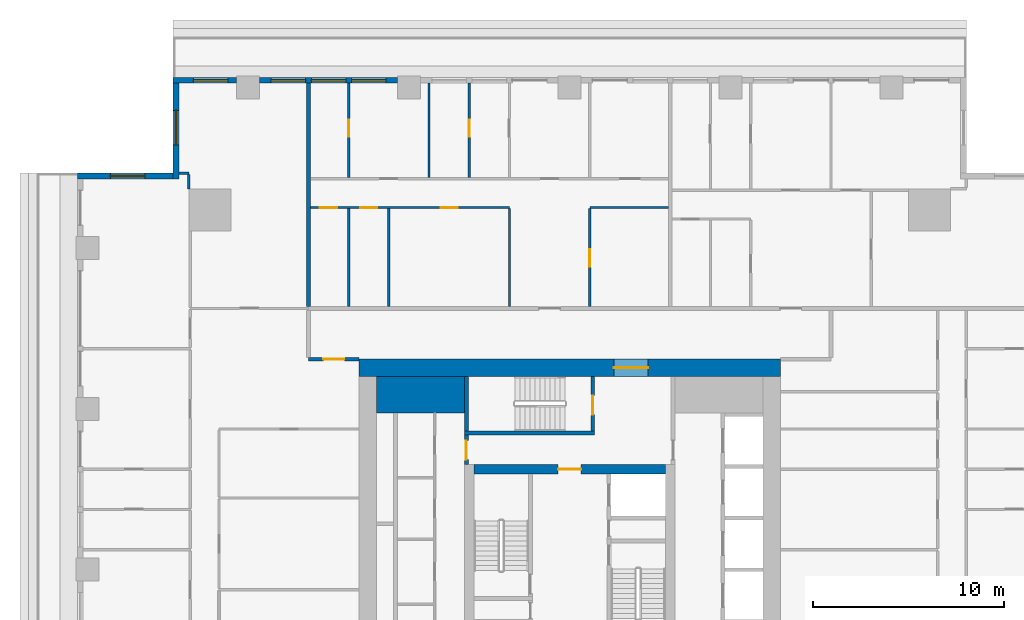
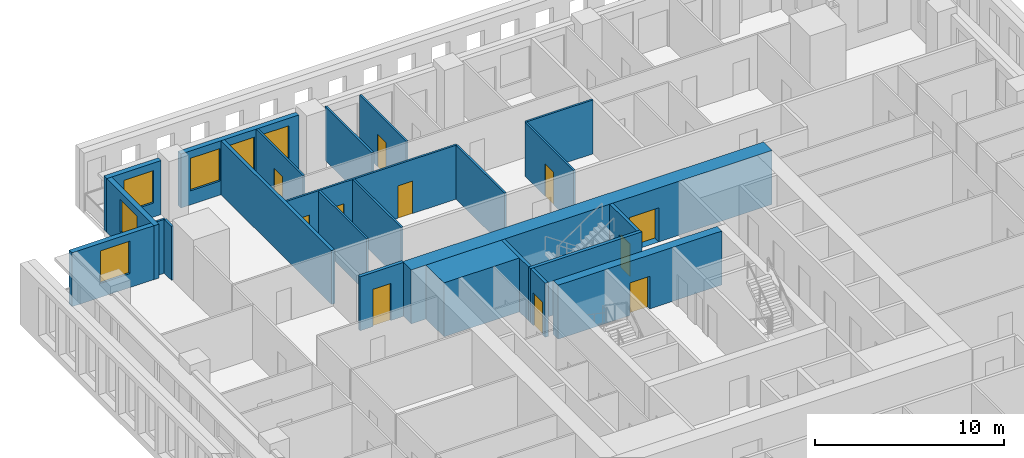
# One storey, part 7 of 15: 24 walls, 11 doors, 6 windows, 17 openings.
"""IFC4 building model written with IfcOpenShell, lengths in metres."""

from ifc_helpers import new_model, si_unit, direction, frame, frame_2d, origin, place, context, subcontext, project, spatial, rectangle, extrude, material, layer, layer_set, type_object, element, fill, save


model = new_model("IFC4")

# Units and contexts
model_context = context("Model", 3, precision=1e-05, world=origin(), true_north=direction((0.0, 1.0)))
body_context = subcontext(model_context, "Body", "Model", "MODEL_VIEW")
ifc_project = project(units=[si_unit("LENGTHUNIT", "METRE"), si_unit("AREAUNIT", "SQUARE_METRE"), si_unit("VOLUMEUNIT", "CUBIC_METRE"), si_unit("PLANEANGLEUNIT", "RADIAN"), si_unit("MASSUNIT", "GRAM", prefix="KILO")], contexts=[model_context])

# Site, building, storey
site_placement = place(None, origin())
site = spatial("IfcSite", under=ifc_project, at=site_placement, CompositionType="ELEMENT")
building_placement = place(site_placement, origin())
building = spatial("IfcBuilding", under=site, at=building_placement, Name="Khepri Terraces", CompositionType="ELEMENT")
storey_placement = place(building_placement, frame((0.0, 0.0, 248.39990234375)))
storey = spatial("IfcBuildingStorey", under=building, at=storey_placement, Name="L59", CompositionType="ELEMENT", Elevation=248.39990234375)

# Walls
ifc_material_1 = material(Name="Concrete C40/50", Category="concrete")
ifc_layer_1 = layer(ifc_material_1, 1.89990234375, Name="Concrete C40/50", Category="concrete")
ifc_layer_set_1 = layer_set([ifc_layer_1], Name="Concrete C40/50")
wall_type_1 = type_object("IfcWallType", Name="Core wall 1900 C40/50", PredefinedType="SHEAR", material=ifc_layer_set_1)
wall_1_placement = place(storey_placement, frame((-10.10009765625, 9.14990234375, 0.0), z_axis=(0.0, 0.0, 1.0), x_axis=(1.0, 0.0, 0.0)))
element("IfcWall", 1, at=wall_1_placement, inside=storey, type_object=wall_type_1, Name="Core wall PR03 L59", PredefinedType="SHEAR", context=body_context, shape_type="SweptSolid", body=[
    extrude(rectangle(XDim=4.60009765625, YDim=1.89990234375, at=frame_2d((2.300048828125, 0.0))), origin(), (0.0, 0.0, 1.0), 3.47998046875),
])
ifc_layer_2 = layer(ifc_material_1, 0.199951171875, Name="Concrete C40/50", Category="concrete")
ifc_layer_set_2 = layer_set([ifc_layer_2], Name="Concrete C40/50")
wall_type_2 = type_object("IfcWallType", Name="Core wall 200 C40/50", PredefinedType="SHEAR", material=ifc_layer_set_2)
wall_2_placement = place(storey_placement, frame((-5.5, 7.14990234375, 0.0), z_axis=(0.0, 0.0, 1.0), x_axis=(1.0, 0.0, 0.0)))
element("IfcWall", 2, at=wall_2_placement, inside=storey, type_object=wall_type_2, Name="Core wall ST05 L59", PredefinedType="SHEAR", context=body_context, shape_type="SweptSolid", body=[
    extrude(rectangle(XDim=6.800048828125, YDim=0.199951171875, at=frame_2d((3.39990234375, 0.0))), origin(), (0.0, 0.0, 1.0), 3.47998046875),
])
wall_3_placement = place(storey_placement, frame((-5.39990234375, 7.25, 0.0), z_axis=(0.0, 0.0, 1.0), x_axis=(0.0, 1.0, 0.0)))
element("IfcWall", 3, at=wall_3_placement, inside=storey, type_object=wall_type_2, Name="Core wall ST06 L59", PredefinedType="SHEAR", context=body_context, shape_type="SweptSolid", body=[
    extrude(rectangle(XDim=2.85009765625, YDim=0.199951171875, at=frame_2d((1.425048828125, 0.0))), origin(), (0.0, 0.0, 1.0), 3.47998046875),
])

# Wall, opening, door
wall_4_placement = place(storey_placement, frame((1.199951171875, 7.25, 0.0), z_axis=(0.0, 0.0, 1.0), x_axis=(0.0, 1.0, 0.0)))
wall_4 = element("IfcWall", 4, at=wall_4_placement, inside=storey, type_object=wall_type_2, Name="Core wall ST07 L59", PredefinedType="SHEAR", context=body_context, shape_type="SweptSolid", body=[
    extrude(rectangle(XDim=2.85009765625, YDim=0.199951171875, at=frame_2d((1.425048828125, 0.0))), origin(), (0.0, 0.0, 1.0), 3.47998046875),
])
opening_1_placement = place(wall_4_placement, frame((0.85009765625, 0.0, 0.0)))
opening_1 = element("IfcOpeningElement", 5, at=opening_1_placement, cuts=wall_4, Name="Opening L59-C15", PredefinedType="OPENING", context=body_context, shape_type="SweptSolid", body=[
    extrude(rectangle(XDim=1.0, YDim=2.10009765625, at=frame_2d((0.5, 1.050048828125))), frame((0.0, 0.10986328125, 0.0), z_axis=(0.0, -1.0, 0.0), x_axis=(1.0, 0.0, 0.0)), (0.0, 0.0, 1.0), 0.219970703125),
])
ifc_material_2 = material(Name="Painted steel", Category="steel")
door_type_1 = type_object("IfcDoorType", Name="DR-CORE-STAIR-1000", OperationType="NOTDEFINED", PredefinedType="DOOR", material=ifc_material_2)
door_1_placement = place(opening_1_placement, origin())
door_1 = element("IfcDoor", 6, at=door_1_placement, inside=storey, type_object=door_type_1, Name="Stair door L59-C15", OperationType="SINGLE_SWING_LEFT", OverallHeight=2.10009765625, OverallWidth=1.0, PredefinedType="DOOR", context=body_context, shape_type="SweptSolid", body=[
    extrude(rectangle(XDim=1.0, YDim=2.10009765625, at=frame_2d((0.5, 1.050048828125))), frame((0.0, 0.02490234375, 0.0), z_axis=(0.0, -1.0, 0.0), x_axis=(1.0, 0.0, 0.0)), (0.0, 0.0, 1.0), 0.050048828125),
])
fill(opening_1, door_1)

ifc_layer_3 = layer(ifc_material_1, 0.5, Name="Concrete C40/50", Category="concrete")
ifc_layer_set_3 = layer_set([ifc_layer_3], Name="Concrete C40/50")
wall_type_3 = type_object("IfcWallType", Name="Core wall 500 C40/50", PredefinedType="SHEAR", material=ifc_layer_set_3)
wall_5_placement = place(storey_placement, frame((-5.0, 5.25, 0.0), z_axis=(0.0, 0.0, 1.0), x_axis=(1.0, 0.0, 0.0)))
wall_5 = element("IfcWall", 7, at=wall_5_placement, inside=storey, type_object=wall_type_3, Name="Core wall BX04 L59", PredefinedType="SHEAR", context=body_context, shape_type="SweptSolid", body=[
    extrude(rectangle(XDim=10.0, YDim=0.5, at=frame_2d((5.0, 0.0))), origin(), (0.0, 0.0, 1.0), 3.47998046875),
])
opening_2_placement = place(wall_5_placement, frame((4.39990234375, 0.0, 0.0)))
opening_2 = element("IfcOpeningElement", 8, at=opening_2_placement, cuts=wall_5, Name="Opening L59-C13", PredefinedType="OPENING", context=body_context, shape_type="SweptSolid", body=[
    extrude(rectangle(XDim=1.199951171875, YDim=2.10009765625, at=frame_2d((0.60009765625, 1.050048828125))), frame((0.0, 0.260009765625, 0.0), z_axis=(0.0, -1.0, 0.0), x_axis=(1.0, 0.0, 0.0)), (0.0, 0.0, 1.0), 0.52001953125),
])
door_type_2 = type_object("IfcDoorType", Name="DR-CORE-FF-LOBBY-1200", OperationType="NOTDEFINED", PredefinedType="DOOR", material=ifc_material_2)
door_2_placement = place(opening_2_placement, frame((1.199951171875, 0.0, 0.0), z_axis=(0.0, 0.0, 1.0), x_axis=(-1.0, 0.0, 0.0)))
door_2 = element("IfcDoor", 9, at=door_2_placement, inside=storey, type_object=door_type_2, Name="Firefighting lobby door L59-C13", OperationType="SINGLE_SWING_LEFT", OverallHeight=2.10009765625, OverallWidth=1.199951171875, PredefinedType="DOOR", context=body_context, shape_type="SweptSolid", body=[
    extrude(rectangle(XDim=1.199951171875, YDim=2.10009765625, at=frame_2d((0.60009765625, 1.050048828125))), frame((0.0, 0.02490234375, 0.0), z_axis=(0.0, -1.0, 0.0), x_axis=(1.0, 0.0, 0.0)), (0.0, 0.0, 1.0), 0.050048828125),
])
fill(opening_2, door_2)

ifc_layer_4 = layer(ifc_material_1, 0.89990234375, Name="Concrete C40/50", Category="concrete")
ifc_layer_set_4 = layer_set([ifc_layer_4], Name="Concrete C40/50")
wall_type_4 = type_object("IfcWallType", Name="Core wall 900 C40/50", PredefinedType="SHEAR", material=ifc_layer_set_4)
wall_6_placement = place(storey_placement, frame((-11.0, 10.550048828125, 0.0), z_axis=(0.0, 0.0, 1.0), x_axis=(1.0, 0.0, 0.0)))
wall_6 = element("IfcWall", 10, at=wall_6_placement, inside=storey, type_object=wall_type_4, Name="Core wall OW-N L59", PredefinedType="SHEAR", context=body_context, shape_type="SweptSolid", body=[
    extrude(rectangle(XDim=22.0, YDim=0.89990234375, at=frame_2d((11.0, 0.0))), origin(), (0.0, 0.0, 1.0), 3.47998046875),
])
opening_3_placement = place(wall_6_placement, frame((13.300048828125, 0.0, 0.0)))
opening_3 = element("IfcOpeningElement", 11, at=opening_3_placement, cuts=wall_6, Name="Opening L59-C20", PredefinedType="OPENING", context=body_context, shape_type="SweptSolid", body=[
    extrude(rectangle(XDim=1.800048828125, YDim=2.199951171875, at=frame_2d((0.89990234375, 1.10009765625))), frame((0.0, 0.4599609375, 0.0), z_axis=(0.0, -1.0, 0.0), x_axis=(1.0, 0.0, 0.0)), (0.0, 0.0, 1.0), 0.919921875),
])
door_type_3 = type_object("IfcDoorType", Name="DR-CORE-ENTRANCE-1800", OperationType="NOTDEFINED", PredefinedType="DOOR", material=ifc_material_2)
door_3_placement = place(opening_3_placement, origin())
door_3 = element("IfcDoor", 12, at=door_3_placement, inside=storey, type_object=door_type_3, Name="Core entrance door pair L59-C20", OperationType="DOUBLE_DOOR_SINGLE_SWING", OverallHeight=2.199951171875, OverallWidth=1.800048828125, PredefinedType="DOOR", context=body_context, shape_type="SweptSolid", body=[
    extrude(rectangle(XDim=1.800048828125, YDim=2.199951171875, at=frame_2d((0.89990234375, 1.10009765625))), frame((0.0, 0.02490234375, 0.0), z_axis=(0.0, -1.0, 0.0), x_axis=(1.0, 0.0, 0.0)), (0.0, 0.0, 1.0), 0.050048828125),
])
fill(opening_3, door_3)

ifc_material_3 = material(Name="Fire-rated gypsum board partition")
ifc_layer_5 = layer(ifc_material_3, 0.199951171875, Name="Fire-rated gypsum board partition")
ifc_layer_set_5 = layer_set([ifc_layer_5], Name="Fire-rated gypsum board partition")
wall_type_5 = type_object("IfcWallType", Name="WL-CORE-PART-200", PredefinedType="PARTITIONING", material=ifc_layer_set_5)
wall_7_placement = place(storey_placement, frame((-5.39990234375, 5.5, 0.0), z_axis=(0.0, 0.0, 1.0), x_axis=(0.0, 1.0, 0.0)))
wall_7 = element("IfcWall", 13, at=wall_7_placement, inside=storey, type_object=wall_type_5, Name="Core partition PT12 L59", PredefinedType="PARTITIONING", context=body_context, shape_type="SweptSolid", body=[
    extrude(rectangle(XDim=1.550048828125, YDim=0.199951171875, at=frame_2d((0.77490234375, 0.0))), origin(), (0.0, 0.0, 1.0), 3.47998046875),
])
opening_4_placement = place(wall_7_placement, frame((0.25, 0.0, 0.0)))
opening_4 = element("IfcOpeningElement", 14, at=opening_4_placement, cuts=wall_7, Name="Opening L59-C16", PredefinedType="OPENING", context=body_context, shape_type="SweptSolid", body=[
    extrude(rectangle(XDim=1.0, YDim=2.10009765625, at=frame_2d((0.5, 1.050048828125))), frame((0.0, 0.10986328125, 0.0), z_axis=(0.0, -1.0, 0.0), x_axis=(1.0, 0.0, 0.0)), (0.0, 0.0, 1.0), 0.219970703125),
])
door_type_4 = type_object("IfcDoorType", Name="DR-CORE-LOBBY-1000", OperationType="NOTDEFINED", PredefinedType="DOOR", material=ifc_material_2)
door_4_placement = place(opening_4_placement, frame((1.0, 0.0, 0.0), z_axis=(0.0, 0.0, 1.0), x_axis=(-1.0, 0.0, 0.0)))
door_4 = element("IfcDoor", 15, at=door_4_placement, inside=storey, type_object=door_type_4, Name="Lobby door L59-C16", OperationType="SINGLE_SWING_RIGHT", OverallHeight=2.10009765625, OverallWidth=1.0, PredefinedType="DOOR", context=body_context, shape_type="SweptSolid", body=[
    extrude(rectangle(XDim=1.0, YDim=2.10009765625, at=frame_2d((0.5, 1.050048828125))), frame((0.0, 0.02490234375, 0.0), z_axis=(0.0, -1.0, 0.0), x_axis=(1.0, 0.0, 0.0)), (0.0, 0.0, 1.0), 0.050048828125),
])
fill(opening_4, door_4)

ifc_material_4 = material(Name="Fire-rated gypsum plasterboard partition, mineral wool")
ifc_layer_6 = layer(ifc_material_4, 0.199951171875, Name="Fire-rated gypsum plasterboard partition, mineral wool")
ifc_layer_set_6 = layer_set([ifc_layer_6], Name="Fire-rated gypsum plasterboard partition, mineral wool")
wall_type_6 = type_object("IfcWallType", Name="WL-CORR-200", PredefinedType="PARTITIONING", material=ifc_layer_set_6)
wall_8_placement = place(storey_placement, frame((-13.64990234375, 11.0, 0.0), z_axis=(0.0, 0.0, 1.0), x_axis=(1.0, 0.0, 0.0)))
wall_8 = element("IfcWall", 16, at=wall_8_placement, inside=storey, type_object=wall_type_6, Name="Partition P-073 L59", PredefinedType="PARTITIONING", context=body_context, shape_type="SweptSolid", body=[
    extrude(rectangle(XDim=2.64990234375, YDim=0.199951171875, at=frame_2d((1.324951171875, 0.0))), origin(), (0.0, 0.0, 1.0), 3.47998046875),
])
opening_5_placement = place(wall_8_placement, frame((0.77490234375, 0.0, 0.0)))
opening_5 = element("IfcOpeningElement", 17, at=opening_5_placement, cuts=wall_8, Name="Opening D1", PredefinedType="OPENING", context=body_context, shape_type="SweptSolid", body=[
    extrude(rectangle(XDim=1.10009765625, YDim=2.39990234375, at=frame_2d((0.550048828125, 1.199951171875))), frame((0.0, 0.10986328125, 0.0), z_axis=(0.0, -1.0, 0.0), x_axis=(1.0, 0.0, 0.0)), (0.0, 0.0, 1.0), 0.219970703125),
])
ifc_material_5 = material(Name="Solid-core timber door leaf, flat entrance door", Category="wood")
door_type_5 = type_object("IfcDoorType", Name="DR-ENT-1100", OperationType="NOTDEFINED", PredefinedType="DOOR", material=ifc_material_5)
door_5_placement = place(opening_5_placement, frame((1.10009765625, 0.0, 0.0), z_axis=(0.0, 0.0, 1.0), x_axis=(-1.0, 0.0, 0.0)))
door_5 = element("IfcDoor", 18, at=door_5_placement, inside=storey, type_object=door_type_5, Name="Flat D1 entrance door", OperationType="SINGLE_SWING_LEFT", OverallHeight=2.39990234375, OverallWidth=1.10009765625, PredefinedType="DOOR", context=body_context, shape_type="SweptSolid", body=[
    extrude(rectangle(XDim=1.10009765625, YDim=2.39990234375, at=frame_2d((0.550048828125, 1.199951171875))), frame((0.0, 0.02490234375, 0.0), z_axis=(0.0, -1.0, 0.0), x_axis=(1.0, 0.0, 0.0)), (0.0, 0.0, 1.0), 0.050048828125),
])
fill(opening_5, door_5)

# Wall
wall_9_placement = place(storey_placement, frame((-13.64990234375, 13.75, 0.0), z_axis=(0.0, 0.0, 1.0), x_axis=(0.0, 1.0, 0.0)))
element("IfcWall", 19, at=wall_9_placement, inside=storey, type_object=wall_type_6, Name="Partition P-084 L59", PredefinedType="PARTITIONING", context=body_context, shape_type="SweptSolid", body=[
    extrude(rectangle(XDim=11.669921875, YDim=0.199951171875, at=frame_2d((5.8349609375, 0.0))), origin(), (0.0, 0.0, 1.0), 3.47998046875),
])

# Wall, openings, windows
ifc_material_6 = material(Name="Precast concrete C50/60 warm stone", Category="masonry")
ifc_layer_7 = layer(ifc_material_6, 0.300048828125, Name="Precast concrete C50/60 warm stone", Category="masonry")
ifc_layer_set_7 = layer_set([ifc_layer_7], Name="Precast concrete C50/60 warm stone")
wall_type_7 = type_object("IfcWallType", Name="WL-EXT-PRECAST-300", PredefinedType="STANDARD", material=ifc_layer_set_7)
wall_10_placement = place(storey_placement, frame((-9.0, 25.570068359375, 0.0), z_axis=(0.0, 0.0, 1.0), x_axis=(-1.0, 0.0, 0.0)))
wall_10 = element("IfcWall", 20, at=wall_10_placement, inside=storey, type_object=wall_type_7, Name="External wall L59 N", PredefinedType="STANDARD", context=body_context, shape_type="SweptSolid", body=[
    extrude(rectangle(XDim=7.199951171875, YDim=0.300048828125, at=frame_2d((3.60009765625, 0.0))), origin(), (0.0, 0.0, 1.0), 3.47998046875),
])
opening_6_placement = place(wall_10_placement, frame((0.60009765625, 0.0, 0.89990234375)))
opening_6 = element("IfcOpeningElement", 21, at=opening_6_placement, cuts=wall_10, Name="Opening W1", PredefinedType="OPENING", context=body_context, shape_type="SweptSolid", body=[
    extrude(rectangle(XDim=1.800048828125, YDim=2.10009765625, at=frame_2d((0.89990234375, 1.050048828125))), frame((0.0, 0.16015625, 0.0), z_axis=(0.0, -1.0, 0.0), x_axis=(1.0, 0.0, 0.0)), (0.0, 0.0, 1.0), 0.320068359375),
])
opening_7_placement = place(wall_10_placement, frame((2.699951171875, 0.0, 0.89990234375)))
opening_7 = element("IfcOpeningElement", 22, at=opening_7_placement, cuts=wall_10, Name="Opening W1", PredefinedType="OPENING", context=body_context, shape_type="SweptSolid", body=[
    extrude(rectangle(XDim=1.800048828125, YDim=2.10009765625, at=frame_2d((0.89990234375, 1.050048828125))), frame((0.0, 0.16015625, 0.0), z_axis=(0.0, -1.0, 0.0), x_axis=(1.0, 0.0, 0.0)), (0.0, 0.0, 1.0), 0.320068359375),
])
opening_8_placement = place(wall_10_placement, frame((4.800048828125, 0.0, 0.89990234375)))
opening_8 = element("IfcOpeningElement", 23, at=opening_8_placement, cuts=wall_10, Name="Opening W1", PredefinedType="OPENING", context=body_context, shape_type="SweptSolid", body=[
    extrude(rectangle(XDim=1.800048828125, YDim=2.10009765625, at=frame_2d((0.89990234375, 1.050048828125))), frame((0.0, 0.16015625, 0.0), z_axis=(0.0, -1.0, 0.0), x_axis=(1.0, 0.0, 0.0)), (0.0, 0.0, 1.0), 0.320068359375),
])
ifc_material_7 = material(Name="Clear glass", Category="glass")
window_type = type_object("IfcWindowType", Name="WIN-RES-1800x2100", PartitioningType="SINGLE_PANEL", PredefinedType="WINDOW", material=ifc_material_7)
window_1_placement = place(opening_6_placement, origin())
window_1 = element("IfcWindow", 24, at=window_1_placement, inside=storey, type_object=window_type, Name="Window L59 N", OverallHeight=2.10009765625, OverallWidth=1.800048828125, PartitioningType="SINGLE_PANEL", PredefinedType="WINDOW", context=body_context, shape_type="SweptSolid", body=[
    extrude(rectangle(XDim=1.800048828125, YDim=2.10009765625, at=frame_2d((0.89990234375, 1.050048828125))), frame((0.0, 0.030029296875, 0.0), z_axis=(0.0, -1.0, 0.0), x_axis=(1.0, 0.0, 0.0)), (0.0, 0.0, 1.0), 0.06005859375),
])
fill(opening_6, window_1)
window_2_placement = place(opening_7_placement, origin())
window_2 = element("IfcWindow", 25, at=window_2_placement, inside=storey, type_object=window_type, Name="Window L59 N", OverallHeight=2.10009765625, OverallWidth=1.800048828125, PartitioningType="SINGLE_PANEL", PredefinedType="WINDOW", context=body_context, shape_type="SweptSolid", body=[
    extrude(rectangle(XDim=1.800048828125, YDim=2.10009765625, at=frame_2d((0.89990234375, 1.050048828125))), frame((0.0, 0.030029296875, 0.0), z_axis=(0.0, -1.0, 0.0), x_axis=(1.0, 0.0, 0.0)), (0.0, 0.0, 1.0), 0.06005859375),
])
fill(opening_7, window_2)
window_3_placement = place(opening_8_placement, origin())
window_3 = element("IfcWindow", 26, at=window_3_placement, inside=storey, type_object=window_type, Name="Window L59 N", OverallHeight=2.10009765625, OverallWidth=1.800048828125, PartitioningType="SINGLE_PANEL", PredefinedType="WINDOW", context=body_context, shape_type="SweptSolid", body=[
    extrude(rectangle(XDim=1.800048828125, YDim=2.10009765625, at=frame_2d((0.89990234375, 1.050048828125))), frame((0.0, 0.030029296875, 0.0), z_axis=(0.0, -1.0, 0.0), x_axis=(1.0, 0.0, 0.0)), (0.0, 0.0, 1.0), 0.06005859375),
])
fill(opening_8, window_3)

# Wall, opening, window
wall_11_placement = place(storey_placement, frame((-17.39990234375, 25.570068359375, 0.0), z_axis=(0.0, 0.0, 1.0), x_axis=(-1.0, 0.0, 0.0)))
wall_11 = element("IfcWall", 27, at=wall_11_placement, inside=storey, type_object=wall_type_7, Name="External wall L59 N", PredefinedType="STANDARD", context=body_context, shape_type="SweptSolid", body=[
    extrude(rectangle(XDim=3.320068359375, YDim=0.300048828125, at=frame_2d((1.66015625, 0.0))), origin(), (0.0, 0.0, 1.0), 3.47998046875),
])
opening_9_placement = place(wall_11_placement, frame((0.45947265625, 0.0, 0.89990234375)))
opening_9 = element("IfcOpeningElement", 28, at=opening_9_placement, cuts=wall_11, Name="Opening W1", PredefinedType="OPENING", context=body_context, shape_type="SweptSolid", body=[
    extrude(rectangle(XDim=1.800048828125, YDim=2.10009765625, at=frame_2d((0.89990234375, 1.050048828125))), frame((0.0, 0.16015625, 0.0), z_axis=(0.0, -1.0, 0.0), x_axis=(1.0, 0.0, 0.0)), (0.0, 0.0, 1.0), 0.320068359375),
])
window_4_placement = place(opening_9_placement, origin())
window_4 = element("IfcWindow", 29, at=window_4_placement, inside=storey, type_object=window_type, Name="Window L59 N", OverallHeight=2.10009765625, OverallWidth=1.800048828125, PartitioningType="SINGLE_PANEL", PredefinedType="WINDOW", context=body_context, shape_type="SweptSolid", body=[
    extrude(rectangle(XDim=1.800048828125, YDim=2.10009765625, at=frame_2d((0.89990234375, 1.050048828125))), frame((0.0, 0.030029296875, 0.0), z_axis=(0.0, -1.0, 0.0), x_axis=(1.0, 0.0, 0.0)), (0.0, 0.0, 1.0), 0.06005859375),
])
fill(opening_9, window_4)

wall_12_placement = place(storey_placement, frame((-20.570068359375, 25.419921875, 0.0), z_axis=(0.0, 0.0, 1.0), x_axis=(0.0, -1.0, 0.0)))
wall_12 = element("IfcWall", 30, at=wall_12_placement, inside=storey, type_object=wall_type_7, Name="External wall L59 W", PredefinedType="STANDARD", context=body_context, shape_type="SweptSolid", body=[
    extrude(rectangle(XDim=5.0, YDim=0.300048828125, at=frame_2d((2.5, 0.0))), origin(), (0.0, 0.0, 1.0), 3.47998046875),
])
opening_10_placement = place(wall_12_placement, frame((1.419921875, 0.0, 0.89990234375)))
opening_10 = element("IfcOpeningElement", 31, at=opening_10_placement, cuts=wall_12, Name="Opening W1", PredefinedType="OPENING", context=body_context, shape_type="SweptSolid", body=[
    extrude(rectangle(XDim=1.800048828125, YDim=2.10009765625, at=frame_2d((0.89990234375, 1.050048828125))), frame((0.0, 0.16015625, 0.0), z_axis=(0.0, -1.0, 0.0), x_axis=(1.0, 0.0, 0.0)), (0.0, 0.0, 1.0), 0.320068359375),
])
window_5_placement = place(opening_10_placement, origin())
window_5 = element("IfcWindow", 32, at=window_5_placement, inside=storey, type_object=window_type, Name="Window L59 W", OverallHeight=2.10009765625, OverallWidth=1.800048828125, PartitioningType="SINGLE_PANEL", PredefinedType="WINDOW", context=body_context, shape_type="SweptSolid", body=[
    extrude(rectangle(XDim=1.800048828125, YDim=2.10009765625, at=frame_2d((0.89990234375, 1.050048828125))), frame((0.0, 0.030029296875, 0.0), z_axis=(0.0, -1.0, 0.0), x_axis=(1.0, 0.0, 0.0)), (0.0, 0.0, 1.0), 0.06005859375),
])
fill(opening_10, window_5)

wall_13_placement = place(storey_placement, frame((-20.719970703125, 20.570068359375, 0.0), z_axis=(0.0, 0.0, 1.0), x_axis=(-1.0, 0.0, 0.0)))
wall_13 = element("IfcWall", 33, at=wall_13_placement, inside=storey, type_object=wall_type_7, Name="External wall L59 N", PredefinedType="STANDARD", context=body_context, shape_type="SweptSolid", body=[
    extrude(rectangle(XDim=5.0, YDim=0.300048828125, at=frame_2d((2.5, 0.0))), origin(), (0.0, 0.0, 1.0), 3.47998046875),
])
opening_11_placement = place(wall_13_placement, frame((1.47998046875, 0.0, 0.89990234375)))
opening_11 = element("IfcOpeningElement", 34, at=opening_11_placement, cuts=wall_13, Name="Opening W1", PredefinedType="OPENING", context=body_context, shape_type="SweptSolid", body=[
    extrude(rectangle(XDim=1.800048828125, YDim=2.10009765625, at=frame_2d((0.89990234375, 1.050048828125))), frame((0.0, 0.16015625, 0.0), z_axis=(0.0, -1.0, 0.0), x_axis=(1.0, 0.0, 0.0)), (0.0, 0.0, 1.0), 0.320068359375),
])
window_6_placement = place(opening_11_placement, origin())
window_6 = element("IfcWindow", 35, at=window_6_placement, inside=storey, type_object=window_type, Name="Window L59 N", OverallHeight=2.10009765625, OverallWidth=1.800048828125, PartitioningType="SINGLE_PANEL", PredefinedType="WINDOW", context=body_context, shape_type="SweptSolid", body=[
    extrude(rectangle(XDim=1.800048828125, YDim=2.10009765625, at=frame_2d((0.89990234375, 1.050048828125))), frame((0.0, 0.030029296875, 0.0), z_axis=(0.0, -1.0, 0.0), x_axis=(1.0, 0.0, 0.0)), (0.0, 0.0, 1.0), 0.06005859375),
])
fill(opening_11, window_6)

# Walls
ifc_material_8 = material(Name="Gypsum plasterboard partition")
ifc_layer_8 = layer(ifc_material_8, 0.1201171875, Name="Gypsum plasterboard partition")
ifc_layer_set_8 = layer_set([ifc_layer_8], Name="Gypsum plasterboard partition")
wall_type_8 = type_object("IfcWallType", Name="WL-PART-120", PredefinedType="PARTITIONING", material=ifc_layer_set_8)
for number, where, z_axis, x_axis, name in (
    (36, (-11.550048828125, 13.75, 0.0), (0.0, 0.0, 1.0), (0.0, 1.0, 0.0), "Partition P-085 L59"),
    (37, (-9.449951171875, 13.75, 0.0), (0.0, 0.0, 1.0), (0.0, 1.0, 0.0), "Partition P-086 L59"),
    (38, (-3.14990234375, 13.75, 0.0), (0.0, 0.0, 1.0), (0.0, 1.0, 0.0), "Partition P-087 L59"),
):
    element("IfcWall", number, at=place(storey_placement, frame(where, z_axis=z_axis, x_axis=x_axis)), inside=storey, type_object=wall_type_8, Name=name, PredefinedType="PARTITIONING", context=body_context, shape_type="SweptSolid", body=[
        extrude(rectangle(XDim=5.110107421875, YDim=0.1201171875, at=frame_2d((2.55517578125, 0.0))), origin(), (0.0, 0.0, 1.0), 3.47998046875),
    ])

# Wall, opening, door
wall_14_placement = place(storey_placement, frame((1.050048828125, 13.75, 0.0), z_axis=(0.0, 0.0, 1.0), x_axis=(0.0, 1.0, 0.0)))
wall_14 = element("IfcWall", 39, at=wall_14_placement, inside=storey, type_object=wall_type_8, Name="Partition P-088 L59", PredefinedType="PARTITIONING", context=body_context, shape_type="SweptSolid", body=[
    extrude(rectangle(XDim=5.110107421875, YDim=0.1201171875, at=frame_2d((2.55517578125, 0.0))), origin(), (0.0, 0.0, 1.0), 3.47998046875),
])
opening_12_placement = place(wall_14_placement, frame((2.0849609375, 0.0, 0.0)))
opening_12 = element("IfcOpeningElement", 40, at=opening_12_placement, cuts=wall_14, Name="Opening D4", PredefinedType="OPENING", context=body_context, shape_type="SweptSolid", body=[
    extrude(rectangle(XDim=0.89990234375, YDim=2.10009765625, at=frame_2d((0.449951171875, 1.050048828125))), frame((0.0, 0.070068359375, 0.0), z_axis=(0.0, -1.0, 0.0), x_axis=(1.0, 0.0, 0.0)), (0.0, 0.0, 1.0), 0.14013671875),
])
ifc_material_9 = material(Name="Timber door leaf, moisture resistant", Category="wood")
door_type_6 = type_object("IfcDoorType", Name="DR-WET-900", OperationType="NOTDEFINED", PredefinedType="DOOR", material=ifc_material_9)
door_6_placement = place(opening_12_placement, frame((0.89990234375, 0.0, 0.0), z_axis=(0.0, 0.0, 1.0), x_axis=(-1.0, 0.0, 0.0)))
door_6 = element("IfcDoor", 41, at=door_6_placement, inside=storey, type_object=door_type_6, Name="Door Guest Bathroom", OperationType="SINGLE_SWING_RIGHT", OverallHeight=2.10009765625, OverallWidth=0.89990234375, PredefinedType="DOOR", context=body_context, shape_type="SweptSolid", body=[
    extrude(rectangle(XDim=0.89990234375, YDim=2.10009765625, at=frame_2d((0.449951171875, 1.050048828125))), frame((0.0, 0.02490234375, 0.0), z_axis=(0.0, -1.0, 0.0), x_axis=(1.0, 0.0, 0.0)), (0.0, 0.0, 1.0), 0.050048828125),
])
fill(opening_12, door_6)

# Wall, openings, doors
wall_15_placement = place(storey_placement, frame((-13.550048828125, 18.919921875, 0.0), z_axis=(0.0, 0.0, 1.0), x_axis=(1.0, 0.0, 0.0)))
wall_15 = element("IfcWall", 42, at=wall_15_placement, inside=storey, type_object=wall_type_8, Name="Partition P-094 L59", PredefinedType="PARTITIONING", context=body_context, shape_type="SweptSolid", body=[
    extrude(rectangle(XDim=10.400146484375, YDim=0.1201171875, at=frame_2d((5.2001953125, 0.0))), origin(), (0.0, 0.0, 1.0), 3.47998046875),
])
opening_13_placement = place(wall_15_placement, frame((6.800048828125, 0.0, 0.0)))
opening_13 = element("IfcOpeningElement", 43, at=opening_13_placement, cuts=wall_15, Name="Opening D3", PredefinedType="OPENING", context=body_context, shape_type="SweptSolid", body=[
    extrude(rectangle(XDim=0.89990234375, YDim=2.10009765625, at=frame_2d((0.449951171875, 1.050048828125))), frame((0.0, 0.070068359375, 0.0), z_axis=(0.0, -1.0, 0.0), x_axis=(1.0, 0.0, 0.0)), (0.0, 0.0, 1.0), 0.14013671875),
])
opening_14_placement = place(wall_15_placement, frame((2.60009765625, 0.0, 0.0)))
opening_14 = element("IfcOpeningElement", 44, at=opening_14_placement, cuts=wall_15, Name="Opening D4", PredefinedType="OPENING", context=body_context, shape_type="SweptSolid", body=[
    extrude(rectangle(XDim=0.89990234375, YDim=2.10009765625, at=frame_2d((0.449951171875, 1.050048828125))), frame((0.0, 0.070068359375, 0.0), z_axis=(0.0, -1.0, 0.0), x_axis=(1.0, 0.0, 0.0)), (0.0, 0.0, 1.0), 0.14013671875),
])
opening_15_placement = place(wall_15_placement, frame((0.5, 0.0, 0.0)))
opening_15 = element("IfcOpeningElement", 45, at=opening_15_placement, cuts=wall_15, Name="Opening D3", PredefinedType="OPENING", context=body_context, shape_type="SweptSolid", body=[
    extrude(rectangle(XDim=0.89990234375, YDim=2.10009765625, at=frame_2d((0.449951171875, 1.050048828125))), frame((0.0, 0.070068359375, 0.0), z_axis=(0.0, -1.0, 0.0), x_axis=(1.0, 0.0, 0.0)), (0.0, 0.0, 1.0), 0.14013671875),
])
ifc_material_10 = material(Name="Timber door leaf", Category="wood")
door_type_7 = type_object("IfcDoorType", Name="DR-INT-900", OperationType="NOTDEFINED", PredefinedType="DOOR", material=ifc_material_10)
door_7_placement = place(opening_13_placement, frame((0.89990234375, 0.0, 0.0), z_axis=(0.0, 0.0, 1.0), x_axis=(-1.0, 0.0, 0.0)))
door_7 = element("IfcDoor", 46, at=door_7_placement, inside=storey, type_object=door_type_7, Name="Door Kitchen", OperationType="SINGLE_SWING_LEFT", OverallHeight=2.10009765625, OverallWidth=0.89990234375, PredefinedType="DOOR", context=body_context, shape_type="SweptSolid", body=[
    extrude(rectangle(XDim=0.89990234375, YDim=2.10009765625, at=frame_2d((0.449951171875, 1.050048828125))), frame((0.0, 0.02490234375, 0.0), z_axis=(0.0, -1.0, 0.0), x_axis=(1.0, 0.0, 0.0)), (0.0, 0.0, 1.0), 0.050048828125),
])
fill(opening_13, door_7)
door_8_placement = place(opening_15_placement, frame((0.89990234375, 0.0, 0.0), z_axis=(0.0, 0.0, 1.0), x_axis=(-1.0, 0.0, 0.0)))
door_8 = element("IfcDoor", 47, at=door_8_placement, inside=storey, type_object=door_type_7, Name="Door Utility Room", OperationType="SINGLE_SWING_RIGHT", OverallHeight=2.10009765625, OverallWidth=0.89990234375, PredefinedType="DOOR", context=body_context, shape_type="SweptSolid", body=[
    extrude(rectangle(XDim=0.89990234375, YDim=2.10009765625, at=frame_2d((0.449951171875, 1.050048828125))), frame((0.0, 0.02490234375, 0.0), z_axis=(0.0, -1.0, 0.0), x_axis=(1.0, 0.0, 0.0)), (0.0, 0.0, 1.0), 0.050048828125),
])
fill(opening_15, door_8)
door_9_placement = place(opening_14_placement, frame((0.89990234375, 0.0, 0.0), z_axis=(0.0, 0.0, 1.0), x_axis=(-1.0, 0.0, 0.0)))
door_9 = element("IfcDoor", 48, at=door_9_placement, inside=storey, type_object=door_type_6, Name="Door Powder Room", OperationType="SINGLE_SWING_RIGHT", OverallHeight=2.10009765625, OverallWidth=0.89990234375, PredefinedType="DOOR", context=body_context, shape_type="SweptSolid", body=[
    extrude(rectangle(XDim=0.89990234375, YDim=2.10009765625, at=frame_2d((0.449951171875, 1.050048828125))), frame((0.0, 0.02490234375, 0.0), z_axis=(0.0, -1.0, 0.0), x_axis=(1.0, 0.0, 0.0)), (0.0, 0.0, 1.0), 0.050048828125),
])
fill(opening_14, door_9)

# Walls
wall_16_placement = place(storey_placement, frame((1.050048828125, 18.919921875, 0.0), z_axis=(0.0, 0.0, 1.0), x_axis=(1.0, 0.0, 0.0)))
element("IfcWall", 49, at=wall_16_placement, inside=storey, type_object=wall_type_8, Name="Partition P-095 L59", PredefinedType="PARTITIONING", context=body_context, shape_type="SweptSolid", body=[
    extrude(rectangle(XDim=4.099853515625, YDim=0.1201171875, at=frame_2d((2.0498046875, 0.0))), origin(), (0.0, 0.0, 1.0), 3.47998046875),
])
wall_17_placement = place(storey_placement, frame((-19.90087890625, 19.89990234375, 0.0), z_axis=(0.0, 0.0, 1.0), x_axis=(0.0, 1.0, 0.0)))
element("IfcWall", 50, at=wall_17_placement, inside=storey, type_object=wall_type_8, Name="Partition P-100 L59", PredefinedType="PARTITIONING", context=body_context, shape_type="SweptSolid", body=[
    extrude(rectangle(XDim=0.759033203125, YDim=0.1201171875, at=frame_2d((0.37939453125, 0.0))), origin(), (0.0, 0.0, 1.0), 3.47998046875),
])

# Wall, opening, door
wall_18_placement = place(storey_placement, frame((-11.550048828125, 20.47998046875, 0.0), z_axis=(0.0, 0.0, 1.0), x_axis=(0.0, 1.0, 0.0)))
wall_18 = element("IfcWall", 51, at=wall_18_placement, inside=storey, type_object=wall_type_8, Name="Partition P-104 L59", PredefinedType="PARTITIONING", context=body_context, shape_type="SweptSolid", body=[
    extrude(rectangle(XDim=4.93994140625, YDim=0.1201171875, at=frame_2d((2.469970703125, 0.0))), origin(), (0.0, 0.0, 1.0), 3.47998046875),
])
opening_16_placement = place(wall_18_placement, frame((2.139892578125, 0.0, 0.0)))
opening_16 = element("IfcOpeningElement", 52, at=opening_16_placement, cuts=wall_18, Name="Opening D4", PredefinedType="OPENING", context=body_context, shape_type="SweptSolid", body=[
    extrude(rectangle(XDim=0.89990234375, YDim=2.10009765625, at=frame_2d((0.449951171875, 1.050048828125))), frame((0.0, 0.070068359375, 0.0), z_axis=(0.0, -1.0, 0.0), x_axis=(1.0, 0.0, 0.0)), (0.0, 0.0, 1.0), 0.14013671875),
])
door_10_placement = place(opening_16_placement, origin())
door_10 = element("IfcDoor", 53, at=door_10_placement, inside=storey, type_object=door_type_6, Name="Door Bathroom", OperationType="SINGLE_SWING_RIGHT", OverallHeight=2.10009765625, OverallWidth=0.89990234375, PredefinedType="DOOR", context=body_context, shape_type="SweptSolid", body=[
    extrude(rectangle(XDim=0.89990234375, YDim=2.10009765625, at=frame_2d((0.449951171875, 1.050048828125))), frame((0.0, 0.02490234375, 0.0), z_axis=(0.0, -1.0, 0.0), x_axis=(1.0, 0.0, 0.0)), (0.0, 0.0, 1.0), 0.050048828125),
])
fill(opening_16, door_10)

# Wall
wall_19_placement = place(storey_placement, frame((-7.35009765625, 20.47998046875, 0.0), z_axis=(0.0, 0.0, 1.0), x_axis=(0.0, 1.0, 0.0)))
element("IfcWall", 54, at=wall_19_placement, inside=storey, type_object=wall_type_8, Name="Partition P-105 L59", PredefinedType="PARTITIONING", context=body_context, shape_type="SweptSolid", body=[
    extrude(rectangle(XDim=4.93994140625, YDim=0.1201171875, at=frame_2d((2.469970703125, 0.0))), origin(), (0.0, 0.0, 1.0), 3.47998046875),
])

# Wall, opening, door
wall_20_placement = place(storey_placement, frame((-5.25, 20.47998046875, 0.0), z_axis=(0.0, 0.0, 1.0), x_axis=(0.0, 1.0, 0.0)))
wall_20 = element("IfcWall", 55, at=wall_20_placement, inside=storey, type_object=wall_type_8, Name="Partition P-106 L59", PredefinedType="PARTITIONING", context=body_context, shape_type="SweptSolid", body=[
    extrude(rectangle(XDim=4.93994140625, YDim=0.1201171875, at=frame_2d((2.469970703125, 0.0))), origin(), (0.0, 0.0, 1.0), 3.47998046875),
])
opening_17_placement = place(wall_20_placement, frame((2.139892578125, 0.0, 0.0)))
opening_17 = element("IfcOpeningElement", 56, at=opening_17_placement, cuts=wall_20, Name="Opening D4", PredefinedType="OPENING", context=body_context, shape_type="SweptSolid", body=[
    extrude(rectangle(XDim=0.89990234375, YDim=2.10009765625, at=frame_2d((0.449951171875, 1.050048828125))), frame((0.0, 0.070068359375, 0.0), z_axis=(0.0, -1.0, 0.0), x_axis=(1.0, 0.0, 0.0)), (0.0, 0.0, 1.0), 0.14013671875),
])
door_11_placement = place(opening_17_placement, origin())
door_11 = element("IfcDoor", 57, at=door_11_placement, inside=storey, type_object=door_type_6, Name="Door Bathroom", OperationType="SINGLE_SWING_RIGHT", OverallHeight=2.10009765625, OverallWidth=0.89990234375, PredefinedType="DOOR", context=body_context, shape_type="SweptSolid", body=[
    extrude(rectangle(XDim=0.89990234375, YDim=2.10009765625, at=frame_2d((0.449951171875, 1.050048828125))), frame((0.0, 0.02490234375, 0.0), z_axis=(0.0, -1.0, 0.0), x_axis=(1.0, 0.0, 0.0)), (0.0, 0.0, 1.0), 0.050048828125),
])
fill(opening_17, door_11)

# Wall
wall_21_placement = place(storey_placement, frame((-20.4208984375, 20.718994140625, 0.0), z_axis=(0.0, 0.0, 1.0), x_axis=(1.0, 0.0, 0.0)))
element("IfcWall", 58, at=wall_21_placement, inside=storey, type_object=wall_type_8, Name="Partition P-109 L59", PredefinedType="PARTITIONING", context=body_context, shape_type="SweptSolid", body=[
    extrude(rectangle(XDim=0.52001953125, YDim=0.1201171875, at=frame_2d((0.260009765625, 0.0))), origin(), (0.0, 0.0, 1.0), 3.47998046875),
])

save(model, "model.ifc")
